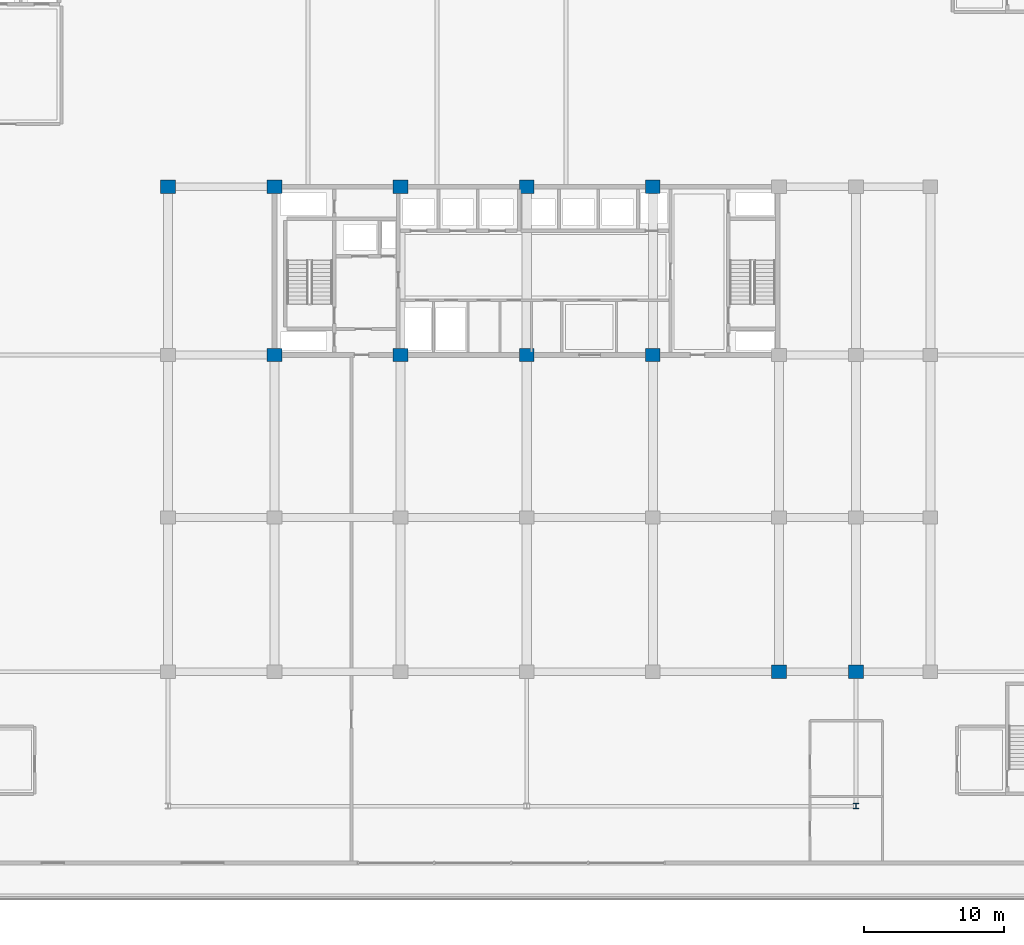
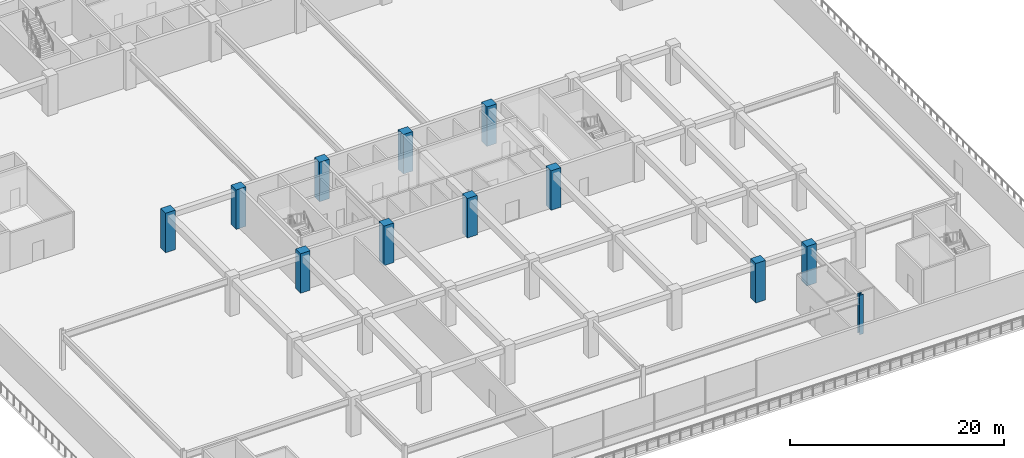
# One storey, part 2 of 40: 12 columns.
"""IFC4 building model written with IfcOpenShell, lengths in metres."""

from ifc_helpers import new_model, si_unit, direction, frame, origin, origin_2d, place, context, subcontext, project, spatial, rectangle, i_section, extrude, material, material_profile, profile_set, type_object, element, save


model = new_model("IFC4")

# Units and contexts
model_context = context("Model", 3, precision=1e-05, world=origin(), true_north=direction((0.0, 1.0)))
body_context = subcontext(model_context, "Body", "Model", "MODEL_VIEW")
ifc_project = project(units=[si_unit("LENGTHUNIT", "METRE"), si_unit("AREAUNIT", "SQUARE_METRE"), si_unit("VOLUMEUNIT", "CUBIC_METRE"), si_unit("PLANEANGLEUNIT", "RADIAN"), si_unit("MASSUNIT", "GRAM", prefix="KILO")], contexts=[model_context])

# Site, building, storey
site_placement = place(None, origin())
site = spatial("IfcSite", under=ifc_project, at=site_placement, CompositionType="ELEMENT")
building_placement = place(site_placement, origin())
building = spatial("IfcBuilding", under=site, at=building_placement, Name="Korimba Cascade Residences", CompositionType="ELEMENT")
storey_placement = place(building_placement, frame((0.0, 0.0, 14.5)))
storey = spatial("IfcBuildingStorey", under=building, at=storey_placement, Name="L03", CompositionType="ELEMENT", Elevation=14.5)

# Columns
ifc_material_1 = material(Name="Concrete C80/95", Category="concrete")
ifc_material_profile_1 = material_profile(ifc_material_1, rectangle(XDim=1.050048828125, YDim=0.949951171875, at=origin_2d()), Name="Concrete C80/95")
ifc_profile_set_1 = profile_set([ifc_material_profile_1], Name="Concrete C80/95")
column_type_1 = type_object("IfcColumnType", Name="COL-RC-1050", PredefinedType="COLUMN", material=ifc_profile_set_1)
for number, where, z_axis, x_axis, name in (
    (1, (74.5, 30.39990234375, 0.0), (0.0, 0.0, 1.0), (1.0, 0.0, 0.0), "L03 Tower 2 Column 1.4"),
    (2, (82.10009765625, 18.39990234375, 0.0), (0.0, 0.0, 1.0), (1.0, 0.0, 0.0), "L03 Tower 2 Column 2.3"),
    (3, (82.10009765625, 30.39990234375, 0.0), (0.0, 0.0, 1.0), (1.0, 0.0, 0.0), "L03 Tower 2 Column 2.4"),
    (4, (91.10009765625, 18.39990234375, 0.0), (0.0, 0.0, 1.0), (1.0, 0.0, 0.0), "L03 Tower 2 Column 3.3"),
    (5, (91.10009765625, 30.39990234375, 0.0), (0.0, 0.0, 1.0), (1.0, 0.0, 0.0), "L03 Tower 2 Column 3.4"),
    (6, (100.10009765625, 18.39990234375, 0.0), (0.0, 0.0, 1.0), (1.0, 0.0, 0.0), "L03 Tower 2 Column 4.3"),
    (7, (100.10009765625, 30.39990234375, 0.0), (0.0, 0.0, 1.0), (1.0, 0.0, 0.0), "L03 Tower 2 Column 4.4"),
    (8, (109.10009765625, 18.39990234375, 0.0), (0.0, 0.0, 1.0), (1.0, 0.0, 0.0), "L03 Tower 2 Column 5.3"),
    (9, (109.10009765625, 30.39990234375, 0.0), (0.0, 0.0, 1.0), (1.0, 0.0, 0.0), "L03 Tower 2 Column 5.4"),
    (10, (118.10009765625, -4.199951171875, 0.0), (0.0, 0.0, 1.0), (1.0, 0.0, 0.0), "L03 Tower 2 Column 6.1"),
    (11, (123.60009765625, -4.199951171875, 0.0), (0.0, 0.0, 1.0), (1.0, 0.0, 0.0), "L03 Tower 2 Column 7.1"),
):
    element("IfcColumn", number, at=place(storey_placement, frame(where, z_axis=z_axis, x_axis=x_axis)), inside=storey, type_object=column_type_1, Name=name, PredefinedType="COLUMN", context=body_context, shape_type="SweptSolid", body=[
        extrude(rectangle(XDim=1.050048828125, YDim=0.949951171875, at=origin_2d()), origin(), (0.0, 0.0, 1.0), 4.5),
    ])
ifc_material_2 = material(Name="Steel S355", Category="steel")
ifc_material_profile_2 = material_profile(ifc_material_2, i_section(OverallWidth=0.39892578125, OverallDepth=0.3935546875, WebThickness=0.022705078125, FlangeThickness=0.03662109375, FilletRadius=0.01513671875, at=origin_2d()), Name="Steel S355")
ifc_profile_set_2 = profile_set([ifc_material_profile_2], Name="Steel S355")
column_type_2 = type_object("IfcColumnType", Name="COL-STL-UC287", PredefinedType="COLUMN", material=ifc_profile_set_2)
column_placement = place(storey_placement, frame((123.60009765625, -13.800048828125, 0.0), z_axis=(0.0, 0.0, 1.0), x_axis=(1.0, 0.0, 0.0)))
element("IfcColumn", 12, at=column_placement, inside=storey, type_object=column_type_2, Name="L03 Podium Column PCS3", PredefinedType="COLUMN", context=body_context, shape_type="SweptSolid", body=[
    extrude(i_section(OverallWidth=0.39892578125, OverallDepth=0.3935546875, WebThickness=0.022705078125, FlangeThickness=0.03662109375, FilletRadius=0.01513671875, at=origin_2d()), origin(), (0.0, 0.0, 1.0), 4.5),
])

save(model, "model.ifc")
